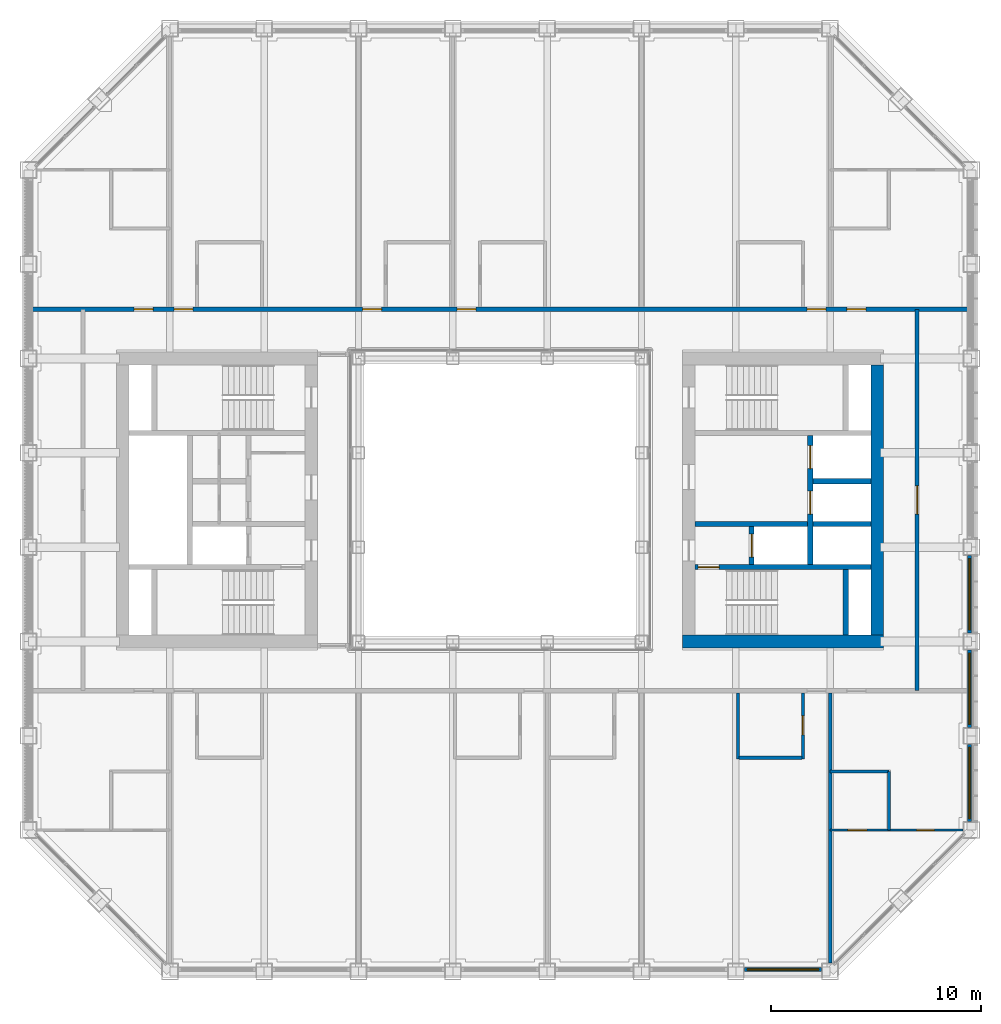
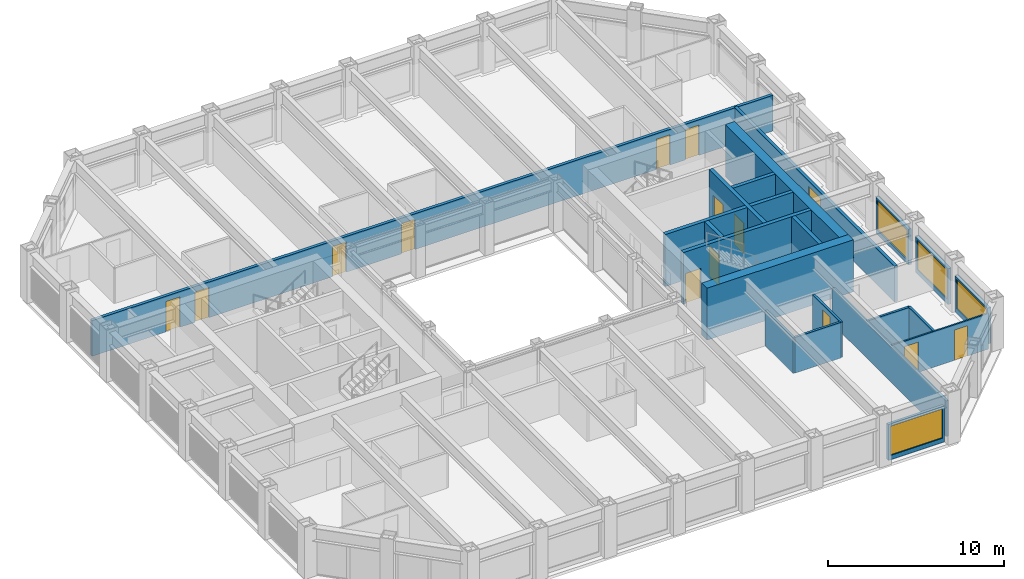
# One storey, part 12 of 17: 22 walls, 14 doors, 4 windows, 18 openings.
"""IFC4 building model written with IfcOpenShell, lengths in metres."""

from ifc_helpers import new_model, si_unit, direction, frame, frame_2d, origin, place, context, subcontext, project, spatial, rectangle, extrude, material, layer, layer_set, type_object, element, fill, save


model = new_model("IFC4")

# Units and contexts
model_context = context("Model", 3, precision=1e-05, world=origin(), true_north=direction((0.0, 1.0)))
body_context = subcontext(model_context, "Body", "Model", "MODEL_VIEW")
ifc_project = project(units=[si_unit("LENGTHUNIT", "METRE"), si_unit("AREAUNIT", "SQUARE_METRE"), si_unit("VOLUMEUNIT", "CUBIC_METRE"), si_unit("PLANEANGLEUNIT", "RADIAN"), si_unit("MASSUNIT", "GRAM", prefix="KILO")], contexts=[model_context])

# Site, building, storey
site_placement = place(None, origin())
site = spatial("IfcSite", under=ifc_project, at=site_placement, CompositionType="ELEMENT")
building_placement = place(site_placement, origin())
building = spatial("IfcBuilding", under=site, at=building_placement, Name="Msasa Ring Tower", CompositionType="ELEMENT")
storey_placement = place(building_placement, frame((0.0, 0.0, 165.199951171875)))
storey = spatial("IfcBuildingStorey", under=building, at=storey_placement, Name="L43", CompositionType="ELEMENT", Elevation=165.199951171875)

# Walls
ifc_material_1 = material(Name="Concrete C60/75", Category="concrete")
ifc_layer_1 = layer(ifc_material_1, 0.60009765625)
ifc_layer_set_1 = layer_set([ifc_layer_1], Name="CW2 CORE WALL 600")
wall_type_1 = type_object("IfcWallType", Name="CW2 CORE WALL 600", PredefinedType="SHEAR", material=ifc_layer_set_1)
wall_1_placement = place(storey_placement, frame((8.699951171875, -6.75, 0.0), z_axis=(0.0, 0.0, 1.0), x_axis=(1.0, 0.0, 0.0)))
element("IfcWall", 1, at=wall_1_placement, inside=storey, type_object=wall_type_1, Name="E core wall S L43", PredefinedType="SHEAR", context=body_context, shape_type="SweptSolid", body=[
    extrude(rectangle(XDim=9.60009765625, YDim=0.60009765625, at=frame_2d((4.800048828125, 0.0))), origin(), (0.0, 0.0, 1.0), 3.60009765625),
])
wall_2_placement = place(storey_placement, frame((18.0, -6.449951171875, 0.0), z_axis=(0.0, 0.0, 1.0), x_axis=(0.0, 1.0, 0.0)))
element("IfcWall", 2, at=wall_2_placement, inside=storey, type_object=wall_type_1, Name="E core wall E L43", PredefinedType="SHEAR", context=body_context, shape_type="SweptSolid", body=[
    extrude(rectangle(XDim=12.89990234375, YDim=0.60009765625, at=frame_2d((6.449951171875, 0.0))), origin(), (0.0, 0.0, 1.0), 3.60009765625),
])

# Wall, opening, door
ifc_material_2 = material(Name="Concrete C60/75", Category="concrete")
ifc_layer_2 = layer(ifc_material_2, 0.25)
ifc_layer_set_2 = layer_set([ifc_layer_2], Name="CW4 CORE INNER WALL 250")
wall_type_2 = type_object("IfcWallType", Name="CW4 CORE INNER WALL 250", PredefinedType="SHEAR", material=ifc_layer_set_2)
wall_3_placement = place(storey_placement, frame((9.300048828125, -3.199951171875, 0.0), z_axis=(0.0, 0.0, 1.0), x_axis=(1.0, 0.0, 0.0)))
wall_3 = element("IfcWall", 3, at=wall_3_placement, inside=storey, type_object=wall_type_2, Name="E core wall STAIRA L43", PredefinedType="SHEAR", context=body_context, shape_type="SweptSolid", body=[
    extrude(rectangle(XDim=8.39990234375, YDim=0.25, at=frame_2d((4.199951171875, 0.0))), origin(), (0.0, 0.0, 1.0), 3.60009765625),
])
opening_1_placement = place(wall_3_placement, frame((0.14990234375, 0.0, 0.0)))
opening_1 = element("IfcOpeningElement", 4, at=opening_1_placement, cuts=wall_3, Name="Opening HE-030", PredefinedType="OPENING", context=body_context, shape_type="SweptSolid", body=[
    extrude(rectangle(XDim=1.0, YDim=2.10009765625, at=frame_2d((0.5, 1.050048828125))), frame((0.0, 0.135009765625, 0.0), z_axis=(0.0, -1.0, 0.0), x_axis=(1.0, 0.0, 0.0)), (0.0, 0.0, 1.0), 0.27001953125),
])
ifc_material_3 = material(Name="Timber door leaf in a steel frame", Category="steel")
door_type_1 = type_object("IfcDoorType", Name="D6 STAIR DOOR 1000x2100", OperationType="SINGLE_SWING_LEFT", PredefinedType="DOOR", material=ifc_material_3)
door_1_placement = place(opening_1_placement, origin())
door_1 = element("IfcDoor", 5, at=door_1_placement, inside=storey, type_object=door_type_1, Name="Door L43-ESTA", OperationType="SINGLE_SWING_LEFT", OverallHeight=2.10009765625, OverallWidth=1.0, PredefinedType="DOOR", context=body_context, shape_type="SweptSolid", body=[
    extrude(rectangle(XDim=1.0, YDim=2.10009765625, at=frame_2d((0.5, 1.050048828125))), frame((0.0, 0.02490234375, 0.0), z_axis=(0.0, -1.0, 0.0), x_axis=(1.0, 0.0, 0.0)), (0.0, 0.0, 1.0), 0.050048828125),
])
fill(opening_1, door_1)

# Walls
wall_4_placement = place(storey_placement, frame((16.5, -6.449951171875, 0.0), z_axis=(0.0, 0.0, 1.0), x_axis=(0.0, 1.0, 0.0)))
element("IfcWall", 6, at=wall_4_placement, inside=storey, type_object=wall_type_2, Name="E core wall RISERA L43", PredefinedType="SHEAR", context=body_context, shape_type="SweptSolid", body=[
    extrude(rectangle(XDim=3.125, YDim=0.25, at=frame_2d((1.5625, 0.0))), origin(), (0.0, 0.0, 1.0), 3.60009765625),
])
wall_5_placement = place(storey_placement, frame((9.300048828125, -1.14990234375, 0.0), z_axis=(0.0, 0.0, 1.0), x_axis=(1.0, 0.0, 0.0)))
element("IfcWall", 7, at=wall_5_placement, inside=storey, type_object=wall_type_2, Name="E core wall FFL L43", PredefinedType="SHEAR", context=body_context, shape_type="SweptSolid", body=[
    extrude(rectangle(XDim=5.375, YDim=0.25, at=frame_2d((2.6875, 0.0))), origin(), (0.0, 0.0, 1.0), 3.60009765625),
])

# Wall, opening, door
wall_6_placement = place(storey_placement, frame((12.0, -3.074951171875, 0.0), z_axis=(0.0, 0.0, 1.0), x_axis=(0.0, 1.0, 0.0)))
wall_6 = element("IfcWall", 8, at=wall_6_placement, inside=storey, type_object=wall_type_2, Name="E core wall LOBBY L43", PredefinedType="SHEAR", context=body_context, shape_type="SweptSolid", body=[
    extrude(rectangle(XDim=1.800048828125, YDim=0.25, at=frame_2d((0.89990234375, 0.0))), origin(), (0.0, 0.0, 1.0), 3.60009765625),
])
opening_2_placement = place(wall_6_placement, frame((0.35009765625, 0.0, 0.0)))
opening_2 = element("IfcOpeningElement", 9, at=opening_2_placement, cuts=wall_6, Name="Opening LD1", PredefinedType="OPENING", context=body_context, shape_type="SweptSolid", body=[
    extrude(rectangle(XDim=1.10009765625, YDim=2.10009765625, at=frame_2d((0.550048828125, 1.050048828125))), frame((0.0, 0.135009765625, 0.0), z_axis=(0.0, -1.0, 0.0), x_axis=(1.0, 0.0, 0.0)), (0.0, 0.0, 1.0), 0.27001953125),
])
ifc_material_4 = material(Name="Stainless steel lift landing door", Category="steel")
door_type_2 = type_object("IfcDoorType", Name="LD1 LIFT LANDING DOOR 1100x2100", OperationType="DOUBLE_DOOR_SLIDING", PredefinedType="DOOR", material=ifc_material_4)
door_2_placement = place(opening_2_placement, origin())
door_2 = element("IfcDoor", 10, at=door_2_placement, inside=storey, type_object=door_type_2, Name="Lift landing door FL-E L43", OperationType="DOUBLE_DOOR_SLIDING", OverallHeight=2.10009765625, OverallWidth=1.10009765625, PredefinedType="DOOR", context=body_context, shape_type="SweptSolid", body=[
    extrude(rectangle(XDim=1.10009765625, YDim=2.10009765625, at=frame_2d((0.550048828125, 1.050048828125))), frame((0.0, 0.02490234375, 0.0), z_axis=(0.0, -1.0, 0.0), x_axis=(1.0, 0.0, 0.0)), (0.0, 0.0, 1.0), 0.050048828125),
])
fill(opening_2, door_2)

# Wall, openings, doors
wall_7_placement = place(storey_placement, frame((14.800048828125, -3.074951171875, 0.0), z_axis=(0.0, 0.0, 1.0), x_axis=(0.0, 1.0, 0.0)))
wall_7 = element("IfcWall", 11, at=wall_7_placement, inside=storey, type_object=wall_type_2, Name="E core wall SHAFT L43", PredefinedType="SHEAR", context=body_context, shape_type="SweptSolid", body=[
    extrude(rectangle(XDim=6.14990234375, YDim=0.25, at=frame_2d((3.074951171875, 0.0))), origin(), (0.0, 0.0, 1.0), 3.60009765625),
])
opening_3_placement = place(wall_7_placement, frame((2.39990234375, 0.0, 0.0)))
opening_3 = element("IfcOpeningElement", 12, at=opening_3_placement, cuts=wall_7, Name="Opening LD1", PredefinedType="OPENING", context=body_context, shape_type="SweptSolid", body=[
    extrude(rectangle(XDim=1.10009765625, YDim=2.10009765625, at=frame_2d((0.550048828125, 1.050048828125))), frame((0.0, 0.135009765625, 0.0), z_axis=(0.0, -1.0, 0.0), x_axis=(1.0, 0.0, 0.0)), (0.0, 0.0, 1.0), 0.27001953125),
])
opening_4_placement = place(wall_7_placement, frame((4.574951171875, 0.0, 0.0)))
opening_4 = element("IfcOpeningElement", 13, at=opening_4_placement, cuts=wall_7, Name="Opening LD1", PredefinedType="OPENING", context=body_context, shape_type="SweptSolid", body=[
    extrude(rectangle(XDim=1.10009765625, YDim=2.10009765625, at=frame_2d((0.550048828125, 1.050048828125))), frame((0.0, 0.135009765625, 0.0), z_axis=(0.0, -1.0, 0.0), x_axis=(1.0, 0.0, 0.0)), (0.0, 0.0, 1.0), 0.27001953125),
])
door_3_placement = place(opening_3_placement, origin())
door_3 = element("IfcDoor", 14, at=door_3_placement, inside=storey, type_object=door_type_2, Name="Lift landing door PL-H1 L43", OperationType="DOUBLE_DOOR_SLIDING", OverallHeight=2.10009765625, OverallWidth=1.10009765625, PredefinedType="DOOR", context=body_context, shape_type="SweptSolid", body=[
    extrude(rectangle(XDim=1.10009765625, YDim=2.10009765625, at=frame_2d((0.550048828125, 1.050048828125))), frame((0.0, 0.02490234375, 0.0), z_axis=(0.0, -1.0, 0.0), x_axis=(1.0, 0.0, 0.0)), (0.0, 0.0, 1.0), 0.050048828125),
])
fill(opening_3, door_3)
door_4_placement = place(opening_4_placement, origin())
door_4 = element("IfcDoor", 15, at=door_4_placement, inside=storey, type_object=door_type_2, Name="Lift landing door PL-H2 L43", OperationType="DOUBLE_DOOR_SLIDING", OverallHeight=2.10009765625, OverallWidth=1.10009765625, PredefinedType="DOOR", context=body_context, shape_type="SweptSolid", body=[
    extrude(rectangle(XDim=1.10009765625, YDim=2.10009765625, at=frame_2d((0.550048828125, 1.050048828125))), frame((0.0, 0.02490234375, 0.0), z_axis=(0.0, -1.0, 0.0), x_axis=(1.0, 0.0, 0.0)), (0.0, 0.0, 1.0), 0.050048828125),
])
fill(opening_4, door_4)

# Walls
for number, where, z_axis, x_axis, name in (
    (16, (14.925048828125, -1.14990234375, 0.0), (0.0, 0.0, 1.0), (1.0, 0.0, 0.0), "E core wall HSEP L43"),
    (17, (14.925048828125, 0.89990234375, 0.0), (0.0, 0.0, 1.0), (1.0, 0.0, 0.0), "E core wall HLIFT L43"),
):
    element("IfcWall", number, at=place(storey_placement, frame(where, z_axis=z_axis, x_axis=x_axis)), inside=storey, type_object=wall_type_2, Name=name, PredefinedType="SHEAR", context=body_context, shape_type="SweptSolid", body=[
        extrude(rectangle(XDim=2.77490234375, YDim=0.25, at=frame_2d((1.387451171875, 0.0))), origin(), (0.0, 0.0, 1.0), 3.60009765625),
    ])

# Wall, opening, window
ifc_material_5 = material(Name="Terracotta rainscreen on blockwork", Category="masonry")
ifc_layer_3 = layer(ifc_material_5, 0.199951171875)
ifc_layer_set_3 = layer_set([ifc_layer_3], Name="FW1 TERRACOTTA-LINED INFILL BAY WALL 200")
wall_type_3 = type_object("IfcWallType", Name="FW1 TERRACOTTA-LINED INFILL BAY WALL 200", PredefinedType="SOLIDWALL", material=ifc_layer_set_3)
wall_8_placement = place(storey_placement, frame((11.655029296875, -22.39990234375, 0.0), z_axis=(0.0, 0.0, 1.0), x_axis=(1.0, 0.0, 0.0)))
wall_8 = element("IfcWall", 18, at=wall_8_placement, inside=storey, type_object=wall_type_3, Name="Infill bay wall S L43 06", PredefinedType="SOLIDWALL", context=body_context, shape_type="SweptSolid", body=[
    extrude(rectangle(XDim=3.68994140625, YDim=0.199951171875, at=frame_2d((1.844970703125, 0.0))), origin(), (0.0, 0.0, 1.0), 2.47900390625),
])
opening_5_placement = place(wall_8_placement, frame((0.14501953125, 0.0, 0.300048828125)))
opening_5 = element("IfcOpeningElement", 19, at=opening_5_placement, cuts=wall_8, Name="Opening WN2", PredefinedType="OPENING", context=body_context, shape_type="SweptSolid", body=[
    extrude(rectangle(XDim=3.39990234375, YDim=2.029052734375, at=frame_2d((1.699951171875, 1.0146484375))), frame((0.0, 0.10986328125, 0.0), z_axis=(0.0, -1.0, 0.0), x_axis=(1.0, 0.0, 0.0)), (0.0, 0.0, 1.0), 0.219970703125),
])
ifc_material_6 = material(Name="Aluminium frame with clear glass", Category="aluminium")
window_type = type_object("IfcWindowType", Name="WN2 GUEST ROOM WINDOW 3400x2029", PartitioningType="SINGLE_PANEL", PredefinedType="WINDOW", material=ifc_material_6)
window_1_placement = place(opening_5_placement, origin())
window_1 = element("IfcWindow", 20, at=window_1_placement, inside=storey, type_object=window_type, Name="Window S L43 06", OverallHeight=2.029052734375, OverallWidth=3.39990234375, PartitioningType="SINGLE_PANEL", PredefinedType="WINDOW", context=body_context, shape_type="SweptSolid", body=[
    extrude(rectangle(XDim=3.39990234375, YDim=2.029052734375, at=frame_2d((1.699951171875, 1.0146484375))), frame((0.0, 0.030029296875, 0.0), z_axis=(0.0, -1.0, 0.0), x_axis=(1.0, 0.0, 0.0)), (0.0, 0.0, 1.0), 0.06005859375),
])
fill(opening_5, window_1)

wall_9_placement = place(storey_placement, frame((22.39990234375, -15.344970703125, 0.0), z_axis=(0.0, 0.0, 1.0), x_axis=(0.0, 1.0, 0.0)))
wall_9 = element("IfcWall", 21, at=wall_9_placement, inside=storey, type_object=wall_type_3, Name="Infill bay wall E L43 09", PredefinedType="SOLIDWALL", context=body_context, shape_type="SweptSolid", body=[
    extrude(rectangle(XDim=3.68994140625, YDim=0.199951171875, at=frame_2d((1.844970703125, 0.0))), origin(), (0.0, 0.0, 1.0), 2.47900390625),
])
opening_6_placement = place(wall_9_placement, frame((0.14501953125, 0.0, 0.300048828125)))
opening_6 = element("IfcOpeningElement", 22, at=opening_6_placement, cuts=wall_9, Name="Opening WN2", PredefinedType="OPENING", context=body_context, shape_type="SweptSolid", body=[
    extrude(rectangle(XDim=3.39990234375, YDim=2.029052734375, at=frame_2d((1.699951171875, 1.0146484375))), frame((0.0, 0.10986328125, 0.0), z_axis=(0.0, -1.0, 0.0), x_axis=(1.0, 0.0, 0.0)), (0.0, 0.0, 1.0), 0.219970703125),
])
window_2_placement = place(opening_6_placement, origin())
window_2 = element("IfcWindow", 23, at=window_2_placement, inside=storey, type_object=window_type, Name="Window E L43 09", OverallHeight=2.029052734375, OverallWidth=3.39990234375, PartitioningType="SINGLE_PANEL", PredefinedType="WINDOW", context=body_context, shape_type="SweptSolid", body=[
    extrude(rectangle(XDim=3.39990234375, YDim=2.029052734375, at=frame_2d((1.699951171875, 1.0146484375))), frame((0.0, 0.030029296875, 0.0), z_axis=(0.0, -1.0, 0.0), x_axis=(1.0, 0.0, 0.0)), (0.0, 0.0, 1.0), 0.06005859375),
])
fill(opening_6, window_2)

wall_10_placement = place(storey_placement, frame((22.39990234375, -10.844970703125, 0.0), z_axis=(0.0, 0.0, 1.0), x_axis=(0.0, 1.0, 0.0)))
wall_10 = element("IfcWall", 24, at=wall_10_placement, inside=storey, type_object=wall_type_3, Name="Infill bay wall E L43 10", PredefinedType="SOLIDWALL", context=body_context, shape_type="SweptSolid", body=[
    extrude(rectangle(XDim=3.68994140625, YDim=0.199951171875, at=frame_2d((1.844970703125, 0.0))), origin(), (0.0, 0.0, 1.0), 2.47900390625),
])
opening_7_placement = place(wall_10_placement, frame((0.14501953125, 0.0, 0.300048828125)))
opening_7 = element("IfcOpeningElement", 25, at=opening_7_placement, cuts=wall_10, Name="Opening WN2", PredefinedType="OPENING", context=body_context, shape_type="SweptSolid", body=[
    extrude(rectangle(XDim=3.39990234375, YDim=2.029052734375, at=frame_2d((1.699951171875, 1.0146484375))), frame((0.0, 0.10986328125, 0.0), z_axis=(0.0, -1.0, 0.0), x_axis=(1.0, 0.0, 0.0)), (0.0, 0.0, 1.0), 0.219970703125),
])
window_3_placement = place(opening_7_placement, origin())
window_3 = element("IfcWindow", 26, at=window_3_placement, inside=storey, type_object=window_type, Name="Window E L43 10", OverallHeight=2.029052734375, OverallWidth=3.39990234375, PartitioningType="SINGLE_PANEL", PredefinedType="WINDOW", context=body_context, shape_type="SweptSolid", body=[
    extrude(rectangle(XDim=3.39990234375, YDim=2.029052734375, at=frame_2d((1.699951171875, 1.0146484375))), frame((0.0, 0.030029296875, 0.0), z_axis=(0.0, -1.0, 0.0), x_axis=(1.0, 0.0, 0.0)), (0.0, 0.0, 1.0), 0.06005859375),
])
fill(opening_7, window_3)

wall_11_placement = place(storey_placement, frame((22.39990234375, -6.344970703125, 0.0), z_axis=(0.0, 0.0, 1.0), x_axis=(0.0, 1.0, 0.0)))
wall_11 = element("IfcWall", 27, at=wall_11_placement, inside=storey, type_object=wall_type_3, Name="Infill bay wall E L43 11", PredefinedType="SOLIDWALL", context=body_context, shape_type="SweptSolid", body=[
    extrude(rectangle(XDim=3.68994140625, YDim=0.199951171875, at=frame_2d((1.844970703125, 0.0))), origin(), (0.0, 0.0, 1.0), 2.47900390625),
])
opening_8_placement = place(wall_11_placement, frame((0.14501953125, 0.0, 0.300048828125)))
opening_8 = element("IfcOpeningElement", 28, at=opening_8_placement, cuts=wall_11, Name="Opening WN2", PredefinedType="OPENING", context=body_context, shape_type="SweptSolid", body=[
    extrude(rectangle(XDim=3.39990234375, YDim=2.029052734375, at=frame_2d((1.699951171875, 1.0146484375))), frame((0.0, 0.10986328125, 0.0), z_axis=(0.0, -1.0, 0.0), x_axis=(1.0, 0.0, 0.0)), (0.0, 0.0, 1.0), 0.219970703125),
])
window_4_placement = place(opening_8_placement, origin())
window_4 = element("IfcWindow", 29, at=window_4_placement, inside=storey, type_object=window_type, Name="Window E L43 11", OverallHeight=2.029052734375, OverallWidth=3.39990234375, PartitioningType="SINGLE_PANEL", PredefinedType="WINDOW", context=body_context, shape_type="SweptSolid", body=[
    extrude(rectangle(XDim=3.39990234375, YDim=2.029052734375, at=frame_2d((1.699951171875, 1.0146484375))), frame((0.0, 0.030029296875, 0.0), z_axis=(0.0, -1.0, 0.0), x_axis=(1.0, 0.0, 0.0)), (0.0, 0.0, 1.0), 0.06005859375),
])
fill(opening_8, window_4)

# Wall, openings, doors
ifc_material_7 = material(Name="Concrete blockwork", Category="masonry")
ifc_layer_4 = layer(ifc_material_7, 0.199951171875)
ifc_layer_set_4 = layer_set([ifc_layer_4], Name="PT1 CORRIDOR WALL 200")
wall_type_4 = type_object("IfcWallType", Name="PT1 CORRIDOR WALL 200", PredefinedType="PARTITIONING", material=ifc_layer_set_4)
wall_12_placement = place(storey_placement, frame((-22.300048828125, 9.10009765625, 0.0), z_axis=(0.0, 0.0, 1.0), x_axis=(1.0, 0.0, 0.0)))
wall_12 = element("IfcWall", 30, at=wall_12_placement, inside=storey, type_object=wall_type_4, Name="Corridor wall L43-CORRN0", PredefinedType="PARTITIONING", context=body_context, shape_type="SweptSolid", body=[
    extrude(rectangle(XDim=44.60009765625, YDim=0.199951171875, at=frame_2d((22.300048828125, 0.0))), origin(), (0.0, 0.0, 1.0), 2.473388671875),
])
opening_9_placement = place(wall_12_placement, frame((6.75, 0.0, 0.0)))
opening_9 = element("IfcOpeningElement", 31, at=opening_9_placement, cuts=wall_12, Name="Opening HE-010", PredefinedType="OPENING", context=body_context, shape_type="SweptSolid", body=[
    extrude(rectangle(XDim=0.89990234375, YDim=2.10009765625, at=frame_2d((0.449951171875, 1.050048828125))), frame((0.0, 0.10986328125, 0.0), z_axis=(0.0, -1.0, 0.0), x_axis=(1.0, 0.0, 0.0)), (0.0, 0.0, 1.0), 0.219970703125),
])
opening_10_placement = place(wall_12_placement, frame((15.75, 0.0, 0.0)))
opening_10 = element("IfcOpeningElement", 32, at=opening_10_placement, cuts=wall_12, Name="Opening HE-011", PredefinedType="OPENING", context=body_context, shape_type="SweptSolid", body=[
    extrude(rectangle(XDim=0.89990234375, YDim=2.10009765625, at=frame_2d((0.449951171875, 1.050048828125))), frame((0.0, 0.10986328125, 0.0), z_axis=(0.0, -1.0, 0.0), x_axis=(1.0, 0.0, 0.0)), (0.0, 0.0, 1.0), 0.219970703125),
])
opening_11_placement = place(wall_12_placement, frame((20.25, 0.0, 0.0)))
opening_11 = element("IfcOpeningElement", 33, at=opening_11_placement, cuts=wall_12, Name="Opening HE-012", PredefinedType="OPENING", context=body_context, shape_type="SweptSolid", body=[
    extrude(rectangle(XDim=0.89990234375, YDim=2.10009765625, at=frame_2d((0.449951171875, 1.050048828125))), frame((0.0, 0.10986328125, 0.0), z_axis=(0.0, -1.0, 0.0), x_axis=(1.0, 0.0, 0.0)), (0.0, 0.0, 1.0), 0.219970703125),
])
opening_12_placement = place(wall_12_placement, frame((36.949951171875, 0.0, 0.0)))
opening_12 = element("IfcOpeningElement", 34, at=opening_12_placement, cuts=wall_12, Name="Opening HE-013", PredefinedType="OPENING", context=body_context, shape_type="SweptSolid", body=[
    extrude(rectangle(XDim=0.89990234375, YDim=2.10009765625, at=frame_2d((0.449951171875, 1.050048828125))), frame((0.0, 0.10986328125, 0.0), z_axis=(0.0, -1.0, 0.0), x_axis=(1.0, 0.0, 0.0)), (0.0, 0.0, 1.0), 0.219970703125),
])
opening_13_placement = place(wall_12_placement, frame((38.85009765625, 0.0, 0.0)))
opening_13 = element("IfcOpeningElement", 35, at=opening_13_placement, cuts=wall_12, Name="Opening HE-014", PredefinedType="OPENING", context=body_context, shape_type="SweptSolid", body=[
    extrude(rectangle(XDim=0.89990234375, YDim=2.10009765625, at=frame_2d((0.449951171875, 1.050048828125))), frame((0.0, 0.10986328125, 0.0), z_axis=(0.0, -1.0, 0.0), x_axis=(1.0, 0.0, 0.0)), (0.0, 0.0, 1.0), 0.219970703125),
])
opening_14_placement = place(wall_12_placement, frame((4.85009765625, 0.0, 0.0)))
opening_14 = element("IfcOpeningElement", 36, at=opening_14_placement, cuts=wall_12, Name="Opening HE-009", PredefinedType="OPENING", context=body_context, shape_type="SweptSolid", body=[
    extrude(rectangle(XDim=0.89990234375, YDim=2.10009765625, at=frame_2d((0.449951171875, 1.050048828125))), frame((0.0, 0.10986328125, 0.0), z_axis=(0.0, -1.0, 0.0), x_axis=(1.0, 0.0, 0.0)), (0.0, 0.0, 1.0), 0.219970703125),
])
ifc_material_8 = material(Name="Timber door leaf in a steel frame", Category="steel")
door_type_3 = type_object("IfcDoorType", Name="D1 SINGLE DOOR TO CORRIDOR 900x2100", OperationType="SINGLE_SWING_LEFT", PredefinedType="DOOR", material=ifc_material_8)
door_5_placement = place(opening_9_placement, origin())
door_5 = element("IfcDoor", 37, at=door_5_placement, inside=storey, type_object=door_type_3, Name="Door L43-GN00", OperationType="SINGLE_SWING_LEFT", OverallHeight=2.10009765625, OverallWidth=0.89990234375, PredefinedType="DOOR", context=body_context, shape_type="SweptSolid", body=[
    extrude(rectangle(XDim=0.89990234375, YDim=2.10009765625, at=frame_2d((0.449951171875, 1.050048828125))), frame((0.0, 0.02490234375, 0.0), z_axis=(0.0, -1.0, 0.0), x_axis=(1.0, 0.0, 0.0)), (0.0, 0.0, 1.0), 0.050048828125),
])
fill(opening_9, door_5)
door_6_placement = place(opening_10_placement, origin())
door_6 = element("IfcDoor", 38, at=door_6_placement, inside=storey, type_object=door_type_3, Name="Door L43-GN01", OperationType="SINGLE_SWING_LEFT", OverallHeight=2.10009765625, OverallWidth=0.89990234375, PredefinedType="DOOR", context=body_context, shape_type="SweptSolid", body=[
    extrude(rectangle(XDim=0.89990234375, YDim=2.10009765625, at=frame_2d((0.449951171875, 1.050048828125))), frame((0.0, 0.02490234375, 0.0), z_axis=(0.0, -1.0, 0.0), x_axis=(1.0, 0.0, 0.0)), (0.0, 0.0, 1.0), 0.050048828125),
])
fill(opening_10, door_6)
door_7_placement = place(opening_11_placement, origin())
door_7 = element("IfcDoor", 39, at=door_7_placement, inside=storey, type_object=door_type_3, Name="Door L43-GN02", OperationType="SINGLE_SWING_LEFT", OverallHeight=2.10009765625, OverallWidth=0.89990234375, PredefinedType="DOOR", context=body_context, shape_type="SweptSolid", body=[
    extrude(rectangle(XDim=0.89990234375, YDim=2.10009765625, at=frame_2d((0.449951171875, 1.050048828125))), frame((0.0, 0.02490234375, 0.0), z_axis=(0.0, -1.0, 0.0), x_axis=(1.0, 0.0, 0.0)), (0.0, 0.0, 1.0), 0.050048828125),
])
fill(opening_11, door_7)
door_8_placement = place(opening_12_placement, origin())
door_8 = element("IfcDoor", 40, at=door_8_placement, inside=storey, type_object=door_type_3, Name="Door L43-GN03", OperationType="SINGLE_SWING_RIGHT", OverallHeight=2.10009765625, OverallWidth=0.89990234375, PredefinedType="DOOR", context=body_context, shape_type="SweptSolid", body=[
    extrude(rectangle(XDim=0.89990234375, YDim=2.10009765625, at=frame_2d((0.449951171875, 1.050048828125))), frame((0.0, 0.02490234375, 0.0), z_axis=(0.0, -1.0, 0.0), x_axis=(1.0, 0.0, 0.0)), (0.0, 0.0, 1.0), 0.050048828125),
])
fill(opening_12, door_8)
ifc_material_9 = material(Name="Timber door leaf in a steel frame", Category="steel")
door_type_4 = type_object("IfcDoorType", Name="D2 ENTRANCE DOOR 900x2100", OperationType="SINGLE_SWING_LEFT", PredefinedType="DOOR", material=ifc_material_9)
door_9_placement = place(opening_13_placement, origin())
door_9 = element("IfcDoor", 41, at=door_9_placement, inside=storey, type_object=door_type_4, Name="Door L43-CSNE", OperationType="SINGLE_SWING_RIGHT", OverallHeight=2.10009765625, OverallWidth=0.89990234375, PredefinedType="DOOR", context=body_context, shape_type="SweptSolid", body=[
    extrude(rectangle(XDim=0.89990234375, YDim=2.10009765625, at=frame_2d((0.449951171875, 1.050048828125))), frame((0.0, 0.02490234375, 0.0), z_axis=(0.0, -1.0, 0.0), x_axis=(1.0, 0.0, 0.0)), (0.0, 0.0, 1.0), 0.050048828125),
])
fill(opening_13, door_9)
door_10_placement = place(opening_14_placement, origin())
door_10 = element("IfcDoor", 42, at=door_10_placement, inside=storey, type_object=door_type_4, Name="Door L43-CSNW", OperationType="SINGLE_SWING_LEFT", OverallHeight=2.10009765625, OverallWidth=0.89990234375, PredefinedType="DOOR", context=body_context, shape_type="SweptSolid", body=[
    extrude(rectangle(XDim=0.89990234375, YDim=2.10009765625, at=frame_2d((0.449951171875, 1.050048828125))), frame((0.0, 0.02490234375, 0.0), z_axis=(0.0, -1.0, 0.0), x_axis=(1.0, 0.0, 0.0)), (0.0, 0.0, 1.0), 0.050048828125),
])
fill(opening_14, door_10)

# Wall, opening, door
wall_13_placement = place(storey_placement, frame((19.89990234375, -9.10009765625, 0.0), z_axis=(0.0, 0.0, 1.0), x_axis=(0.0, 1.0, 0.0)))
wall_13 = element("IfcWall", 43, at=wall_13_placement, inside=storey, type_object=wall_type_4, Name="Corridor wall L43-STRE", PredefinedType="PARTITIONING", context=body_context, shape_type="SweptSolid", body=[
    extrude(rectangle(XDim=18.2001953125, YDim=0.199951171875, at=frame_2d((9.10009765625, 0.0))), origin(), (0.0, 0.0, 1.0), 2.473388671875),
])
opening_15_placement = place(wall_13_placement, frame((8.425048828125, 0.0, 0.0)))
opening_15 = element("IfcOpeningElement", 44, at=opening_15_placement, cuts=wall_13, Name="Opening HE-024", PredefinedType="OPENING", context=body_context, shape_type="SweptSolid", body=[
    extrude(rectangle(XDim=1.35009765625, YDim=2.10009765625, at=frame_2d((0.675048828125, 1.050048828125))), frame((0.0, 0.10986328125, 0.0), z_axis=(0.0, -1.0, 0.0), x_axis=(1.0, 0.0, 0.0)), (0.0, 0.0, 1.0), 0.219970703125),
])
ifc_material_10 = material(Name="Timber door leaf in a steel frame", Category="steel")
door_type_5 = type_object("IfcDoorType", Name="D23 HOUSEKEEPING UNEQUAL PAIR OF DOORS 1350x2100", OperationType="SINGLE_SWING_LEFT", PredefinedType="DOOR", material=ifc_material_10)
door_11_placement = place(opening_15_placement, origin())
door_11 = element("IfcDoor", 45, at=door_11_placement, inside=storey, type_object=door_type_5, Name="Door L43-HKE", OperationType="SINGLE_SWING_LEFT", OverallHeight=2.10009765625, OverallWidth=1.35009765625, PredefinedType="DOOR", context=body_context, shape_type="SweptSolid", body=[
    extrude(rectangle(XDim=1.35009765625, YDim=2.10009765625, at=frame_2d((0.675048828125, 1.050048828125))), frame((0.0, 0.02490234375, 0.0), z_axis=(0.0, -1.0, 0.0), x_axis=(1.0, 0.0, 0.0)), (0.0, 0.0, 1.0), 0.050048828125),
])
fill(opening_15, door_11)

# Wall, openings, doors
ifc_material_11 = material(Name="Gypsum board on steel studs", Category="steel")
ifc_layer_5 = layer(ifc_material_11, 0.10009765625)
ifc_layer_set_5 = layer_set([ifc_layer_5], Name="PT2 STUD PARTITION 100")
wall_type_5 = type_object("IfcWallType", Name="PT2 STUD PARTITION 100", PredefinedType="PARTITIONING", material=ifc_layer_set_5)
wall_14_placement = place(storey_placement, frame((15.75, -15.75, 0.0), z_axis=(0.0, 0.0, 1.0), x_axis=(1.0, 0.0, 0.0)))
wall_14 = element("IfcWall", 46, at=wall_14_placement, inside=storey, type_object=wall_type_5, Name="Partition L43-CSSEX", PredefinedType="PARTITIONING", context=body_context, shape_type="SweptSolid", body=[
    extrude(rectangle(XDim=6.35009765625, YDim=0.10009765625, at=frame_2d((3.175048828125, 0.0))), origin(), (0.0, 0.0, 1.0), 2.473388671875),
])
opening_16_placement = place(wall_14_placement, frame((4.125, 0.0, 0.0)))
opening_16 = element("IfcOpeningElement", 47, at=opening_16_placement, cuts=wall_14, Name="Opening HE-045", PredefinedType="OPENING", context=body_context, shape_type="SweptSolid", body=[
    extrude(rectangle(XDim=0.85009765625, YDim=2.10009765625, at=frame_2d((0.425048828125, 1.050048828125))), frame((0.0, 0.06005859375, 0.0), z_axis=(0.0, -1.0, 0.0), x_axis=(1.0, 0.0, 0.0)), (0.0, 0.0, 1.0), 0.1201171875),
])
opening_17_placement = place(wall_14_placement, frame((0.85009765625, 0.0, 0.0)))
opening_17 = element("IfcOpeningElement", 48, at=opening_17_placement, cuts=wall_14, Name="Opening HE-044", PredefinedType="OPENING", context=body_context, shape_type="SweptSolid", body=[
    extrude(rectangle(XDim=0.89990234375, YDim=2.10009765625, at=frame_2d((0.449951171875, 1.050048828125))), frame((0.0, 0.06005859375, 0.0), z_axis=(0.0, -1.0, 0.0), x_axis=(1.0, 0.0, 0.0)), (0.0, 0.0, 1.0), 0.1201171875),
])
ifc_material_12 = material(Name="Timber door leaf in a steel frame", Category="steel")
door_type_6 = type_object("IfcDoorType", Name="D14 BEDROOM DOOR 850x2100", OperationType="SINGLE_SWING_LEFT", PredefinedType="DOOR", material=ifc_material_12)
door_12_placement = place(opening_16_placement, origin())
door_12 = element("IfcDoor", 49, at=door_12_placement, inside=storey, type_object=door_type_6, Name="Door L43-CSSER1", OperationType="SINGLE_SWING_RIGHT", OverallHeight=2.10009765625, OverallWidth=0.85009765625, PredefinedType="DOOR", context=body_context, shape_type="SweptSolid", body=[
    extrude(rectangle(XDim=0.85009765625, YDim=2.10009765625, at=frame_2d((0.425048828125, 1.050048828125))), frame((0.0, 0.02490234375, 0.0), z_axis=(0.0, -1.0, 0.0), x_axis=(1.0, 0.0, 0.0)), (0.0, 0.0, 1.0), 0.050048828125),
])
fill(opening_16, door_12)
ifc_material_13 = material(Name="Timber door leaf in a steel frame", Category="steel")
door_type_7 = type_object("IfcDoorType", Name="D3 BATHROOM DOOR 900x2100", OperationType="SINGLE_SWING_LEFT", PredefinedType="DOOR", material=ifc_material_13)
door_13_placement = place(opening_17_placement, origin())
door_13 = element("IfcDoor", 50, at=door_13_placement, inside=storey, type_object=door_type_7, Name="Door L43-CSSEB1", OperationType="SINGLE_SWING_LEFT", OverallHeight=2.10009765625, OverallWidth=0.89990234375, PredefinedType="DOOR", context=body_context, shape_type="SweptSolid", body=[
    extrude(rectangle(XDim=0.89990234375, YDim=2.10009765625, at=frame_2d((0.449951171875, 1.050048828125))), frame((0.0, 0.02490234375, 0.0), z_axis=(0.0, -1.0, 0.0), x_axis=(1.0, 0.0, 0.0)), (0.0, 0.0, 1.0), 0.050048828125),
])
fill(opening_17, door_13)

# Wall, opening, door
ifc_material_14 = material(Name="Moisture-resistant board on steel studs with a concealed cistern and pipe void, tiled", Category="steel")
ifc_layer_6 = layer(ifc_material_14, 0.14990234375)
ifc_layer_set_6 = layer_set([ifc_layer_6], Name="PT4 BATHROOM WET WALL 150")
wall_type_6 = type_object("IfcWallType", Name="PT4 BATHROOM WET WALL 150", PredefinedType="PARTITIONING", material=ifc_layer_set_6)
wall_15_placement = place(storey_placement, frame((14.449951171875, -12.35009765625, 0.0), z_axis=(0.0, 0.0, 1.0), x_axis=(0.0, 1.0, 0.0)))
wall_15 = element("IfcWall", 51, at=wall_15_placement, inside=storey, type_object=wall_type_6, Name="Partition L43-GS03BX", PredefinedType="PARTITIONING", context=body_context, shape_type="SweptSolid", body=[
    extrude(rectangle(XDim=3.150146484375, YDim=0.14990234375, at=frame_2d((1.5751953125, 0.0))), origin(), (0.0, 0.0, 1.0), 2.473388671875),
])
opening_18_placement = place(wall_15_placement, frame((1.14990234375, 0.0, 0.0)))
opening_18 = element("IfcOpeningElement", 52, at=opening_18_placement, cuts=wall_15, Name="Opening HE-041", PredefinedType="OPENING", context=body_context, shape_type="SweptSolid", body=[
    extrude(rectangle(XDim=0.89990234375, YDim=2.10009765625, at=frame_2d((0.449951171875, 1.050048828125))), frame((0.0, 0.0849609375, 0.0), z_axis=(0.0, -1.0, 0.0), x_axis=(1.0, 0.0, 0.0)), (0.0, 0.0, 1.0), 0.169921875),
])
door_14_placement = place(opening_18_placement, origin())
door_14 = element("IfcDoor", 53, at=door_14_placement, inside=storey, type_object=door_type_7, Name="Door L43-GS03B", OperationType="SINGLE_SWING_LEFT", OverallHeight=2.10009765625, OverallWidth=0.89990234375, PredefinedType="DOOR", context=body_context, shape_type="SweptSolid", body=[
    extrude(rectangle(XDim=0.89990234375, YDim=2.10009765625, at=frame_2d((0.449951171875, 1.050048828125))), frame((0.0, 0.02490234375, 0.0), z_axis=(0.0, -1.0, 0.0), x_axis=(1.0, 0.0, 0.0)), (0.0, 0.0, 1.0), 0.050048828125),
])
fill(opening_18, door_14)

# Walls
wall_16_placement = place(storey_placement, frame((11.35009765625, -12.35009765625, 0.0), z_axis=(0.0, 0.0, 1.0), x_axis=(0.0, 1.0, 0.0)))
element("IfcWall", 54, at=wall_16_placement, inside=storey, type_object=wall_type_6, Name="Partition L43-GS03BF", PredefinedType="PARTITIONING", context=body_context, shape_type="SweptSolid", body=[
    extrude(rectangle(XDim=3.150146484375, YDim=0.14990234375, at=frame_2d((1.5751953125, 0.0))), origin(), (0.0, 0.0, 1.0), 2.473388671875),
])
wall_17_placement = place(storey_placement, frame((11.39990234375, -12.300048828125, 0.0), z_axis=(0.0, 0.0, 1.0), x_axis=(1.0, 0.0, 0.0)))
element("IfcWall", 55, at=wall_17_placement, inside=storey, type_object=wall_type_6, Name="Partition L43-GS03BY", PredefinedType="PARTITIONING", context=body_context, shape_type="SweptSolid", body=[
    extrude(rectangle(XDim=3.0, YDim=0.14990234375, at=frame_2d((1.5, 0.0))), origin(), (0.0, 0.0, 1.0), 2.473388671875),
])
for number, where, z_axis, x_axis, name in (
    (56, (18.550048828125, -15.75, 0.0), (0.0, 0.0, 1.0), (0.0, 1.0, 0.0), "Partition L43-CSSEBX"),
    (57, (15.75, -12.949951171875, 0.0), (0.0, 0.0, 1.0), (1.0, 0.0, 0.0), "Partition L43-CSSEBY"),
):
    element("IfcWall", number, at=place(storey_placement, frame(where, z_axis=z_axis, x_axis=x_axis)), inside=storey, type_object=wall_type_6, Name=name, PredefinedType="PARTITIONING", context=body_context, shape_type="SweptSolid", body=[
        extrude(rectangle(XDim=2.800048828125, YDim=0.14990234375, at=frame_2d((1.39990234375, 0.0))), origin(), (0.0, 0.0, 1.0), 2.473388671875),
    ])
ifc_material_15 = material(Name="Twin steel studs, two layers of acoustic board each face, mineral wool", Category="steel")
ifc_layer_7 = layer(ifc_material_15, 0.175048828125)
ifc_layer_set_7 = layer_set([ifc_layer_7], Name="PT5 GUEST ROOM SEPARATING WALL 175")
wall_type_7 = type_object("IfcWallType", Name="PT5 GUEST ROOM SEPARATING WALL 175", PredefinedType="PARTITIONING", material=ifc_layer_set_7)
wall_18_placement = place(storey_placement, frame((15.75, -22.10009765625, 0.0), z_axis=(0.0, 0.0, 1.0), x_axis=(0.0, 1.0, 0.0)))
element("IfcWall", 58, at=wall_18_placement, inside=storey, type_object=wall_type_7, Name="Partition L43-PWS+15.75", PredefinedType="PARTITIONING", context=body_context, shape_type="SweptSolid", body=[
    extrude(rectangle(XDim=12.900146484375, YDim=0.175048828125, at=frame_2d((6.4501953125, 0.0))), origin(), (0.0, 0.0, 1.0), 2.473388671875),
])

save(model, "model.ifc")
